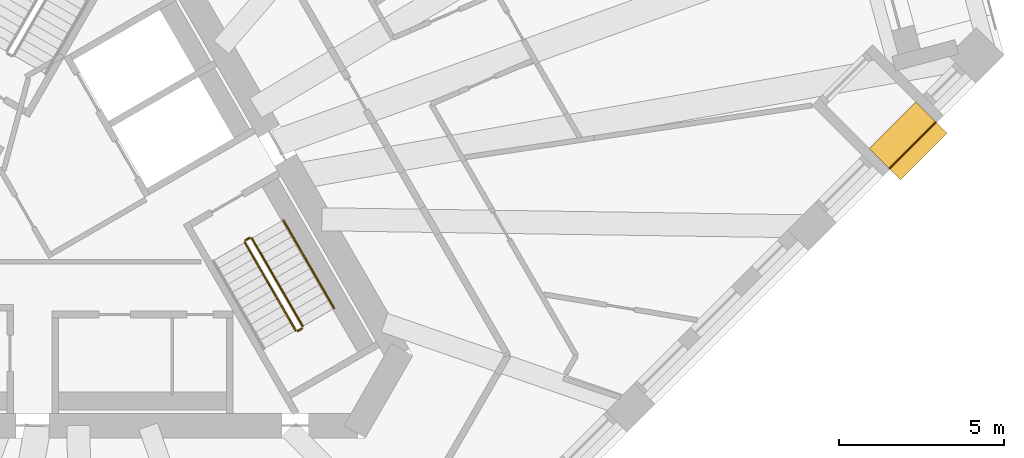
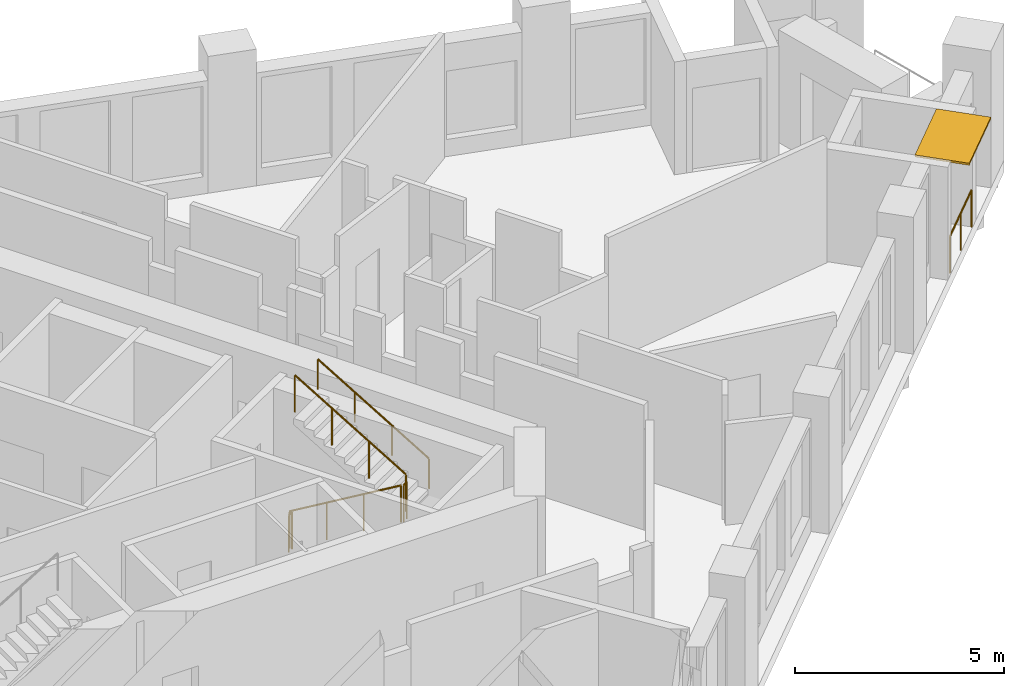
# One storey, part 11 of 13: 6 railings, 1 shading device.
"""IFC4 building model written with IfcOpenShell, lengths in metres."""

from ifc_helpers import new_model, si_unit, direction, frame, origin, origin_2d, place, context, subcontext, project, spatial, rectangle, circle, extrude, material, layer, layer_set, type_object, element, save


model = new_model("IFC4")

# Units and contexts
model_context = context("Model", 3, precision=1e-05, world=origin(), true_north=direction((0.0, 1.0)))
body_context = subcontext(model_context, "Body", "Model", "MODEL_VIEW")
ifc_project = project(units=[si_unit("LENGTHUNIT", "METRE"), si_unit("AREAUNIT", "SQUARE_METRE"), si_unit("VOLUMEUNIT", "CUBIC_METRE"), si_unit("PLANEANGLEUNIT", "RADIAN"), si_unit("MASSUNIT", "GRAM", prefix="KILO")], contexts=[model_context])

# Site, building, storey
site_placement = place(None, origin())
site = spatial("IfcSite", under=ifc_project, at=site_placement, CompositionType="ELEMENT")
building_placement = place(site_placement, origin())
building = spatial("IfcBuilding", under=site, at=building_placement, Name="Tramontana Tower", CompositionType="ELEMENT")
storey_placement = place(building_placement, frame((0.0, 0.0, 212.0)))
storey = spatial("IfcBuildingStorey", under=building, at=storey_placement, Name="L49", CompositionType="ELEMENT", Elevation=212.0)

# Railing
ifc_material_1 = material(Name="Laminated glass balustrade", Category="glass")
railing_type_1 = type_object("IfcRailingType", Name="GD1 Loggia glass balustrade 1100", PredefinedType="BALUSTRADE", material=ifc_material_1)
railing_1_placement = place(storey_placement, frame((24.718017578125, 1.426025390625, 0.0)))
element("IfcRailing", 1, at=railing_1_placement, inside=storey, type_object=railing_type_1, Name="Loggia balustrade L49 G5S1.16", PredefinedType="BALUSTRADE", context=body_context, shape_type="SweptSolid", body=[
    extrude(circle(Radius=0.02392578125, at=origin_2d()), frame((0.0, 0.0, 1.076171875), z_axis=(0.707106781187, 0.707106781187, 0.0), x_axis=(-0.707106781187, 0.707106781187, 0.0)), (0.0, 0.0, 1.0), 1.998046875),
    extrude(circle(Radius=0.02099609375, at=origin_2d()), origin(), (0.0, 0.0, 1.0), 1.052001953125),
    extrude(circle(Radius=0.02099609375, at=origin_2d()), frame((0.70654296875, 0.70654296875, 0.0)), (0.0, 0.0, 1.0), 1.052001953125),
    extrude(circle(Radius=0.02099609375, at=origin_2d()), frame((1.412841796875, 1.412841796875, 0.0)), (0.0, 0.0, 1.0), 1.052001953125),
])

# Shading device
ifc_material_2 = material(Name="Precast concrete 60 MPa", Category="concrete")
ifc_layer = layer(ifc_material_2, 0.06005859375)
ifc_layer_set = layer_set([ifc_layer], Name="SS1 Stone sunshade blade 60")
shading_device_type = type_object("IfcShadingDeviceType", Name="SS1 Stone sunshade blade 60", PredefinedType="USERDEFINED", material=ifc_layer_set)
shading_device_placement = place(storey_placement, frame((25.28662109375, 2.270263671875, 3.239990234375), z_axis=(0.0, 0.0, 1.0), x_axis=(0.707106781187, 0.707106781187, 0.0)))
element("IfcShadingDevice", 2, at=shading_device_placement, inside=storey, type_object=shading_device_type, Name="Sunshade L49 G5S1.16", ObjectType="SUNSHADE", PredefinedType="USERDEFINED", context=body_context, shape_type="SweptSolid", body=[
    extrude(rectangle(XDim=1.998046875, YDim=1.35009765625, at=origin_2d()), origin(), (0.0, 0.0, 1.0), 0.06005859375),
])

# Railings
ifc_material_3 = material(Name="Painted steel", Category="steel")
railing_type_2 = type_object("IfcRailingType", Name="STAIR GUARD 1100", PredefinedType="GUARDRAIL", material=ifc_material_3)
railing_2_placement = place(storey_placement, frame((5.1474609375, -0.815673828125, 0.166748046875)))
element("IfcRailing", 3, at=railing_2_placement, inside=storey, type_object=railing_type_2, Name="L49 ST3 stair guard 1", PredefinedType="GUARDRAIL", context=body_context, shape_type="SweptSolid", body=[
    extrude(circle(Radius=0.02392578125, at=origin_2d()), frame((0.0, 0.0, 1.076171875), z_axis=(0.429671193721, -0.744159446956, 0.511477646425), x_axis=(0.866010015463, 0.500026652407, 0.0)), (0.0, 0.0, 1.0), 3.584228515625),
    extrude(circle(Radius=0.02099609375, at=origin_2d()), origin(), (0.0, 0.0, 1.0), 1.052001953125),
    extrude(circle(Radius=0.02099609375, at=origin_2d()), frame((0.513427734375, -0.88916015625, 0.611083984375)), (0.0, 0.0, 1.0), 1.052001953125),
    extrude(circle(Radius=0.02099609375, at=origin_2d()), frame((1.026611328125, -1.778076171875, 1.22216796875)), (0.0, 0.0, 1.0), 1.052001953125),
    extrude(circle(Radius=0.02099609375, at=origin_2d()), frame((1.5400390625, -2.667236328125, 1.833251953125)), (0.0, 0.0, 1.0), 1.052001953125),
])
railing_3_placement = place(storey_placement, frame((6.90380859375, -3.35791015625, 2.166748046875)))
element("IfcRailing", 4, at=railing_3_placement, inside=storey, type_object=railing_type_2, Name="L49 ST3 stair guard 2", PredefinedType="GUARDRAIL", context=body_context, shape_type="SweptSolid", body=[
    extrude(circle(Radius=0.02392578125, at=origin_2d()), frame((0.0, 0.0, 1.076171875), z_axis=(-0.429615651263, 0.74418122563, 0.511492615401), x_axis=(-0.866044340336, -0.499967199496, 0.0)), (0.0, 0.0, 1.0), 3.584228515625),
    extrude(circle(Radius=0.02099609375, at=origin_2d()), origin(), (0.0, 0.0, 1.0), 1.052001953125),
    extrude(circle(Radius=0.02099609375, at=origin_2d()), frame((-0.51318359375, 0.88916015625, 0.611083984375)), (0.0, 0.0, 1.0), 1.052001953125),
    extrude(circle(Radius=0.02099609375, at=origin_2d()), frame((-1.026611328125, 1.778076171875, 1.22216796875)), (0.0, 0.0, 1.0), 1.052001953125),
    extrude(circle(Radius=0.02099609375, at=origin_2d()), frame((-1.539794921875, 2.667236328125, 1.833251953125)), (0.0, 0.0, 1.0), 1.052001953125),
])
for number, where, name in (
    (5, (6.755615234375, -3.501220703125, 2.0), "L49 ST3 stair guard 3"),
    (6, (5.165771484375, -0.747314453125, 0.0), "L49 ST3 stair guard 4"),
):
    element("IfcRailing", number, at=place(storey_placement, frame(where)), inside=storey, type_object=railing_type_2, Name=name, PredefinedType="GUARDRAIL", context=body_context, shape_type="SweptSolid", body=[
        extrude(circle(Radius=0.02392578125, at=origin_2d()), frame((0.0, 0.0, 1.076171875), z_axis=(0.866131372301, 0.499816412211, 0.0), x_axis=(-0.499816412211, 0.866131372301, 0.0)), (0.0, 0.0, 1.0), 0.14990234375),
        extrude(circle(Radius=0.02099609375, at=origin_2d()), origin(), (0.0, 0.0, 1.0), 1.052001953125),
        extrude(circle(Radius=0.02099609375, at=origin_2d()), frame((0.1298828125, 0.074951171875, 0.0)), (0.0, 0.0, 1.0), 1.052001953125),
    ])
ifc_material_4 = material(Name="Painted steel", Category="steel")
railing_type_3 = type_object("IfcRailingType", Name="STAIR HANDRAIL 900", PredefinedType="HANDRAIL", material=ifc_material_4)
railing_4_placement = place(storey_placement, frame((7.8564453125, -2.807861328125, 2.166748046875)))
element("IfcRailing", 7, at=railing_4_placement, inside=storey, type_object=railing_type_3, Name="L49 ST3 stair handrail 2", PredefinedType="HANDRAIL", context=body_context, shape_type="SweptSolid", body=[
    extrude(circle(Radius=0.02392578125, at=origin_2d()), frame((0.0, 0.0, 0.8759765625), z_axis=(-0.429615651263, 0.74418122563, 0.511492615401), x_axis=(-0.866044340336, -0.499967199496, 0.0)), (0.0, 0.0, 1.0), 3.584228515625),
    extrude(circle(Radius=0.02099609375, at=origin_2d()), origin(), (0.0, 0.0, 1.0), 0.851806640625),
    extrude(circle(Radius=0.02099609375, at=origin_2d()), frame((-0.51318359375, 0.88916015625, 0.611083984375)), (0.0, 0.0, 1.0), 0.851806640625),
    extrude(circle(Radius=0.02099609375, at=origin_2d()), frame((-1.026611328125, 1.778076171875, 1.22216796875)), (0.0, 0.0, 1.0), 0.851806640625),
    extrude(circle(Radius=0.02099609375, at=origin_2d()), frame((-1.539794921875, 2.667236328125, 1.833251953125)), (0.0, 0.0, 1.0), 0.851806640625),
])

save(model, "model.ifc")
